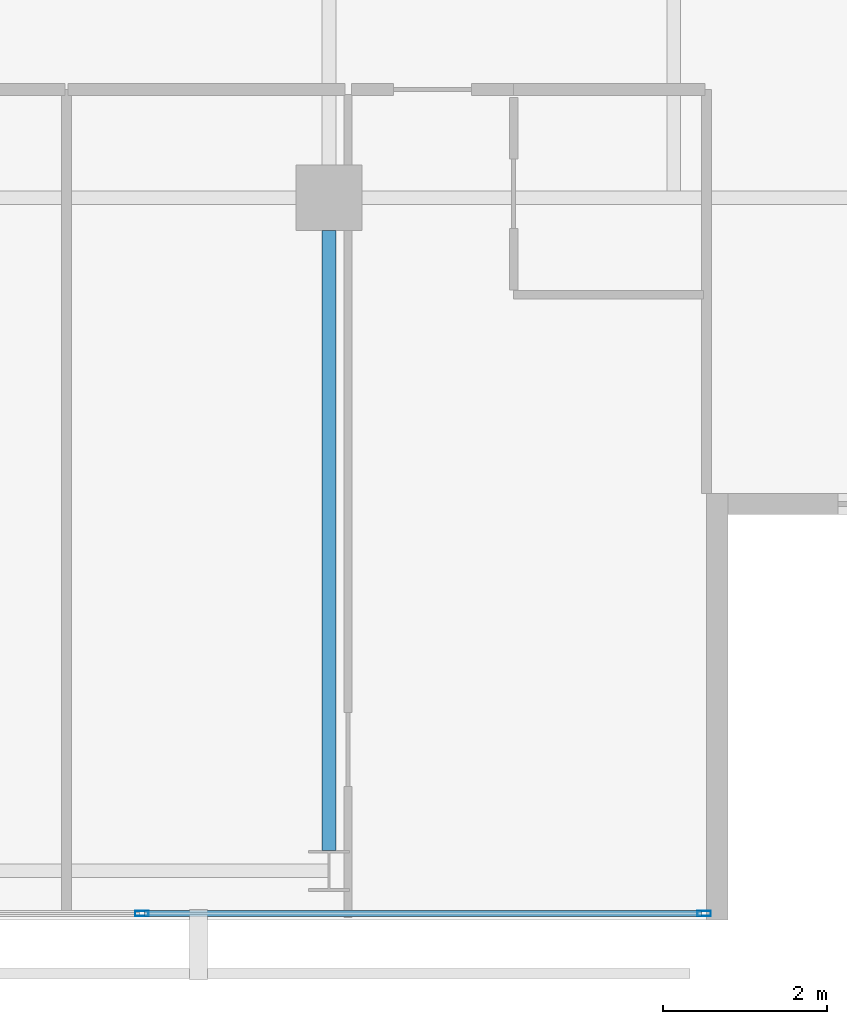
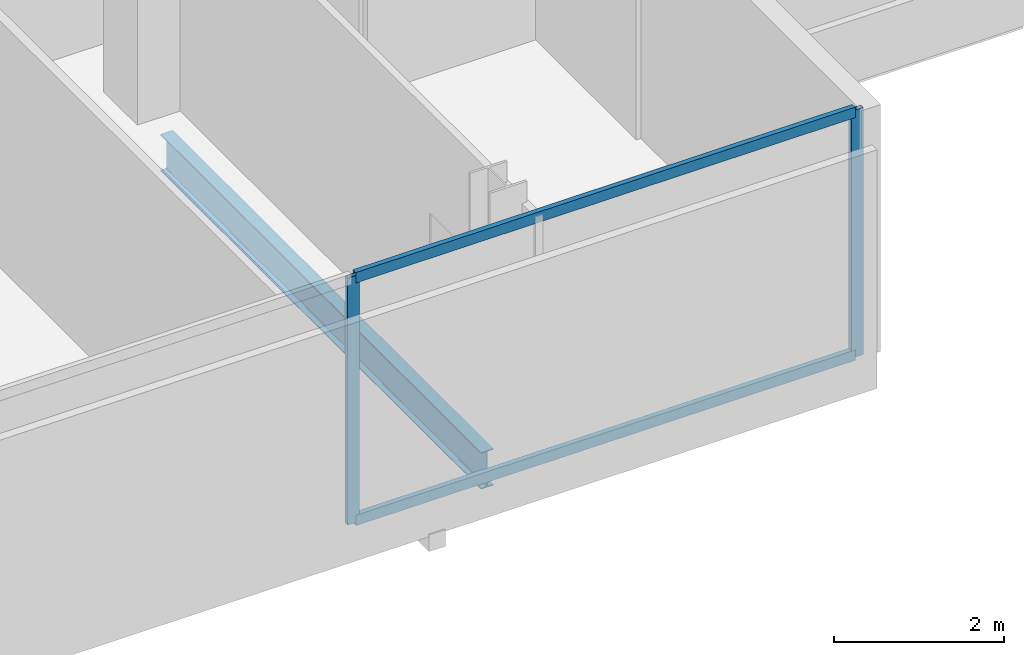
# One storey, part 10 of 26: 4 members, 1 beam, 1 element without a shape of its own.
"""IFC4 building model written with IfcOpenShell, lengths in metres."""

from ifc_helpers import new_model, si_unit, direction, frame, origin, origin_2d, place, context, subcontext, project, spatial, hollow_rectangle, i_section, extrude, material, layer, layer_set, material_profile, profile_set, type_object, element, aggregate, save


model = new_model("IFC4")

# Units and contexts
model_context = context("Model", 3, precision=1e-05, world=origin(), true_north=direction((0.0, 1.0)))
body_context = subcontext(model_context, "Body", "Model", "MODEL_VIEW")
ifc_project = project(units=[si_unit("LENGTHUNIT", "METRE"), si_unit("AREAUNIT", "SQUARE_METRE"), si_unit("VOLUMEUNIT", "CUBIC_METRE"), si_unit("PLANEANGLEUNIT", "RADIAN"), si_unit("MASSUNIT", "GRAM", prefix="KILO")], contexts=[model_context])

# Site, building, storey
site_placement = place(None, origin())
site = spatial("IfcSite", under=ifc_project, at=site_placement, CompositionType="ELEMENT")
building_placement = place(site_placement, origin())
building = spatial("IfcBuilding", under=site, at=building_placement, Name="Maruvema Waterfront Hotel and Observation Tower", CompositionType="ELEMENT")
storey_placement = place(building_placement, frame((0.0, 0.0, 312.550048828125)))
storey = spatial("IfcBuildingStorey", under=building, at=storey_placement, Name="L77", CompositionType="ELEMENT", Elevation=312.550048828125)

# Curtain wall, members
ifc_material_1 = material(Name="Anodised bronze aluminium and solar-control low-E IGU", Category="aluminium")
ifc_layer = layer(ifc_material_1, 0.159912109375, Name="Zone 3 Champagne Inner Thermal Curtain Wall System CW-04")
ifc_layer_set = layer_set([ifc_layer], Name="Anodised bronze aluminium and solar-control low-E IGU")
curtain_wall_type = type_object("IfcCurtainWallType", Name="Zone 3 Champagne Inner Thermal Curtain Wall System CW-04", PredefinedType="USERDEFINED", material=ifc_layer_set)
curtain_wall_placement = place(storey_placement, origin())
curtain_wall = element("IfcCurtainWall", 1, at=curtain_wall_placement, inside=storey, type_object=curtain_wall_type, Name="L77 Curtain Wall CW-L77-S", ObjectType="UNITISED CURTAIN WALL", PredefinedType="USERDEFINED")
ifc_material_2 = material(Name="Anodised architectural bronze aluminium", Category="aluminium")
ifc_material_profile_1 = material_profile(ifc_material_2, hollow_rectangle(XDim=0.070068359375, YDim=0.14990234375, WallThickness=0.00390625, at=origin_2d()), Name="ALU-T70x150")
ifc_profile_set_1 = profile_set([ifc_material_profile_1], Name="Anodised architectural bronze aluminium")
member_type_1 = type_object("IfcMemberType", Name="Curtain Wall Horizontal Transom ALU-T70x150", PredefinedType="USERDEFINED", material=ifc_profile_set_1)
member_1_placement = place(storey_placement, frame((48.14990234375, 9.280029296875, 0.030029296875), z_axis=(1.0, 0.0, 0.0), x_axis=(0.0, 1.0, 0.0)))
member_1 = element("IfcMember", 2, at=member_1_placement, type_object=member_type_1, Name="CW-04 transom 5.1", ObjectType="TRANSOM", PredefinedType="USERDEFINED", context=body_context, shape_type="SweptSolid", body=[
    extrude(hollow_rectangle(XDim=0.070068359375, YDim=0.14990234375, WallThickness=0.00390625, at=origin_2d()), origin(), (0.0, 0.0, 1.0), 6.7900390625),
])
member_2_placement = place(storey_placement, frame((48.14990234375, 9.280029296875, 3.52001953125), z_axis=(1.0, 0.0, 0.0), x_axis=(0.0, 1.0, 0.0)))
member_2 = element("IfcMember", 3, at=member_2_placement, type_object=member_type_1, Name="CW-04 transom 5.2", ObjectType="TRANSOM", PredefinedType="USERDEFINED", context=body_context, shape_type="SweptSolid", body=[
    extrude(hollow_rectangle(XDim=0.070068359375, YDim=0.14990234375, WallThickness=0.00390625, at=origin_2d()), origin(), (0.0, 0.0, 1.0), 6.7900390625),
])
ifc_material_3 = material(Name="Anodised architectural bronze aluminium", Category="aluminium")
ifc_material_profile_2 = material_profile(ifc_material_3, hollow_rectangle(XDim=0.06494140625, YDim=0.1650390625, WallThickness=0.00390625, at=origin_2d()), Name="ALU-M65x165")
ifc_profile_set_2 = profile_set([ifc_material_profile_2], Name="Anodised architectural bronze aluminium")
member_type_2 = type_object("IfcMemberType", Name="Curtain Wall Primary Mullion ALU-M65x165", PredefinedType="MULLION", material=ifc_profile_set_2)
member_3_placement = place(storey_placement, frame((48.1201171875, 9.280029296875, 0.0), z_axis=(0.0, 0.0, 1.0), x_axis=(0.0, 1.0, 0.0)))
member_3 = element("IfcMember", 4, at=member_3_placement, type_object=member_type_2, Name="CW-04 mullion 5", PredefinedType="MULLION", context=body_context, shape_type="SweptSolid", body=[
    extrude(hollow_rectangle(XDim=0.06494140625, YDim=0.1650390625, WallThickness=0.00390625, at=origin_2d()), origin(), (0.0, 0.0, 1.0), 3.550048828125),
])
member_4_placement = place(storey_placement, frame((54.969970703125, 9.280029296875, 0.0), z_axis=(0.0, 0.0, 1.0), x_axis=(0.0, 1.0, 0.0)))
member_4 = element("IfcMember", 5, at=member_4_placement, type_object=member_type_2, Name="CW-04 mullion 6", PredefinedType="MULLION", context=body_context, shape_type="SweptSolid", body=[
    extrude(hollow_rectangle(XDim=0.06494140625, YDim=0.1650390625, WallThickness=0.00390625, at=origin_2d()), origin(), (0.0, 0.0, 1.0), 3.550048828125),
])
aggregate(curtain_wall, [member_3, member_4, member_1, member_2])

# Beam
ifc_material_4 = material(Name="Steel ASTM A572 Grade 50", Category="steel")
ifc_material_profile_3 = material_profile(ifc_material_4, i_section(OverallWidth=0.166015625, OverallDepth=0.529052734375, WebThickness=0.009765625, FlangeThickness=0.013671875, FilletRadius=0.014892578125, at=origin_2d()), Name="W530x74.0")
ifc_profile_set_3 = profile_set([ifc_material_profile_3], Name="Steel ASTM A572 Grade 50")
beam_type = type_object("IfcBeamType", Name="Primary Floor Girder W530x74.0", PredefinedType="BEAM", material=ifc_profile_set_3)
beam_placement = place(storey_placement, frame((50.39990234375, 10.050048828125, -0.504638671875), z_axis=(0.0, 1.0, 0.0), x_axis=(-1.0, 0.0, 0.0)))
element("IfcBeam", 6, at=beam_placement, inside=storey, type_object=beam_type, Name="L77 Floor Girder NS-12", PredefinedType="BEAM", context=body_context, shape_type="SweptSolid", body=[
    extrude(i_section(OverallWidth=0.166015625, OverallDepth=0.529052734375, WebThickness=0.009765625, FlangeThickness=0.013671875, FilletRadius=0.014892578125, at=origin_2d()), origin(), (0.0, 0.0, 1.0), 7.550048828125),
])

save(model, "model.ifc")
